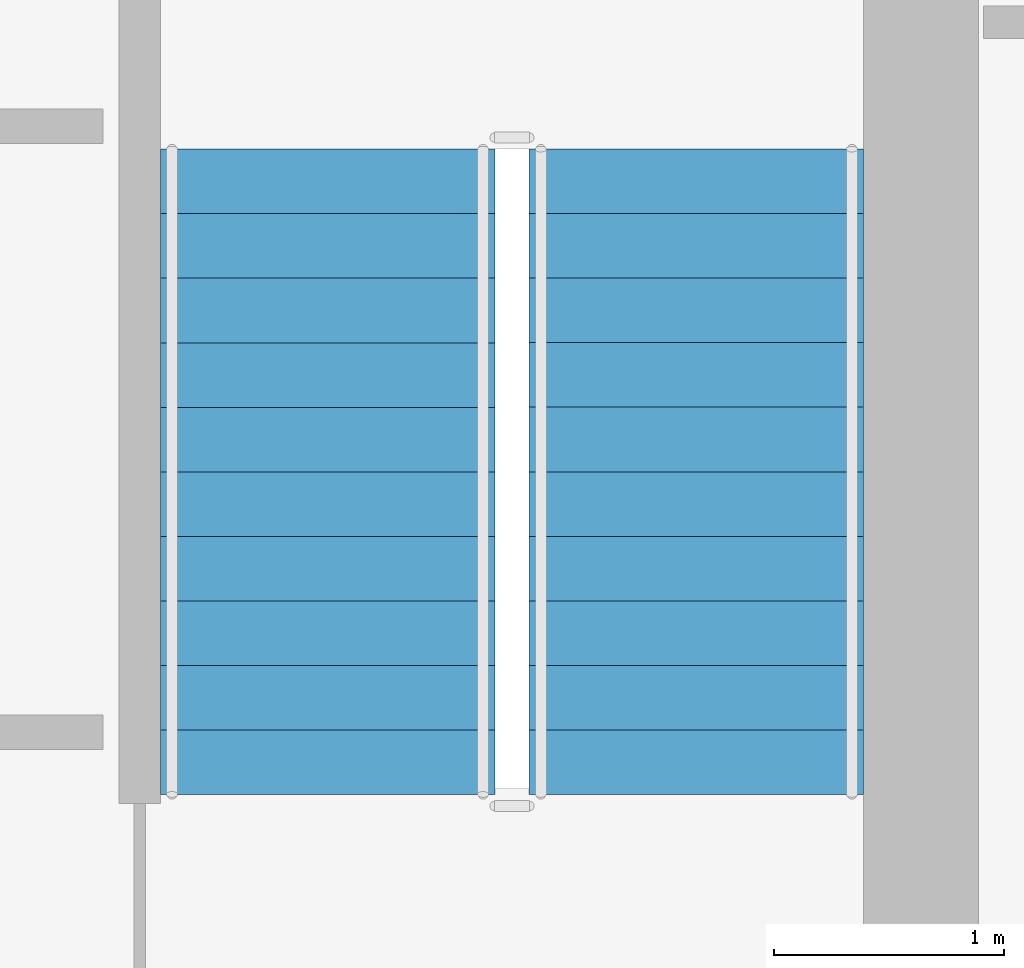
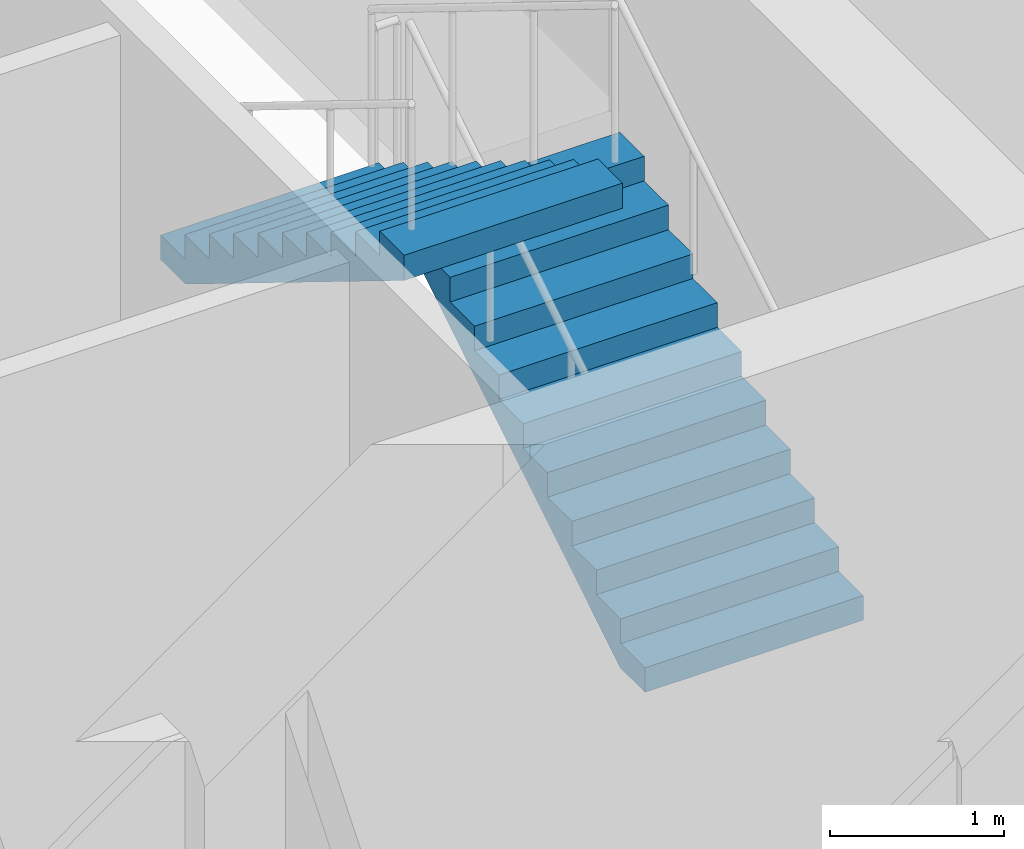
# One storey, part 33 of 36: 2 stair flights, 1 element without a shape of its own.
"""IFC4 building model written with IfcOpenShell, lengths in metres."""

from ifc_helpers import new_model, si_unit, direction, frame, origin, place, context, subcontext, project, spatial, polyline, outline, extrude, material, type_object, element, aggregate, save


model = new_model("IFC4")

# Units and contexts
model_context = context("Model", 3, precision=1e-05, world=origin(), true_north=direction((0.0, 1.0)))
body_context = subcontext(model_context, "Body", "Model", "MODEL_VIEW")
ifc_project = project(units=[si_unit("LENGTHUNIT", "METRE"), si_unit("AREAUNIT", "SQUARE_METRE"), si_unit("VOLUMEUNIT", "CUBIC_METRE"), si_unit("PLANEANGLEUNIT", "RADIAN"), si_unit("MASSUNIT", "GRAM", prefix="KILO")], contexts=[model_context])

# Site, building, storey
site_placement = place(None, origin())
site = spatial("IfcSite", under=ifc_project, at=site_placement, CompositionType="ELEMENT")
building_placement = place(site_placement, origin())
building = spatial("IfcBuilding", under=site, at=building_placement, Name="Saevonmaru Cultural Tower", CompositionType="ELEMENT")
storey_placement = place(building_placement, frame((0.0, 0.0, 209.39990234375)))
storey = spatial("IfcBuildingStorey", under=building, at=storey_placement, Name="L48", CompositionType="ELEMENT", Elevation=209.39990234375)

# Stair, stair flights
ifc_material_1 = material(Name="Concrete C40/50", Category="concrete")
stair_type = type_object("IfcStairType", Name="STR-DOGLEG-RC", PredefinedType="HALF_TURN_STAIR", material=ifc_material_1)
stair_placement = place(storey_placement, origin())
stair = element("IfcStair", 1, at=stair_placement, inside=storey, type_object=stair_type, Name="L48 Protected exit stair ST-2", PredefinedType="HALF_TURN_STAIR")
ifc_material_2 = material(Name="Precast concrete C40/50", Category="concrete")
stair_flight_type = type_object("IfcStairFlightType", Name="STF-PRECAST-180", PredefinedType="STRAIGHT", material=ifc_material_2)
stair_flight_1_placement = place(storey_placement, frame((45.074951171875, 44.85009765625, 0.0), z_axis=(0.0, 0.0, 1.0), x_axis=(0.0, 1.0, 0.0)))
stair_flight_1 = element("IfcStairFlight", 2, at=stair_flight_1_placement, type_object=stair_flight_type, Name="ST-2-L48 flight 1", NumberOfRisers=11, NumberOfTreads=10, PredefinedType="STRAIGHT", RiserHeight=0.172727273, TreadLength=0.28, context=body_context, shape_type="SweptSolid", body=[
    extrude(outline(polyline([(0.0, 0.0), (0.0, 0.172607421875), (0.280029296875, 0.172607421875), (0.280029296875, 0.345458984375), (0.56005859375, 0.345458984375), (0.56005859375, 0.51806640625), (0.840087890625, 0.51806640625), (0.840087890625, 0.69091796875), (1.1201171875, 0.69091796875), (1.1201171875, 0.863525390625), (1.39990234375, 0.863525390625), (1.39990234375, 1.036376953125), (1.679931640625, 1.036376953125), (1.679931640625, 1.208984375), (1.9599609375, 1.208984375), (1.9599609375, 1.3818359375), (2.239990234375, 1.3818359375), (2.239990234375, 1.554443359375), (2.52001953125, 1.554443359375), (2.52001953125, 1.727294921875), (2.800048828125, 1.727294921875), (2.800048828125, 1.89990234375), (2.800048828125, 1.551025390625), (0.285400390625, 0.0), (0.0, 0.0)])), frame((0.0, 0.72509765625, 0.0), z_axis=(0.0, -1.0, 0.0), x_axis=(1.0, 0.0, 0.0)), (0.0, 0.0, 1.0), 1.449951171875),
])
stair_flight_2_placement = place(storey_placement, frame((43.47509765625, 47.64990234375, 1.900146484375), z_axis=(0.0, 0.0, 1.0), x_axis=(0.0, -1.0, 0.0)))
stair_flight_2 = element("IfcStairFlight", 3, at=stair_flight_2_placement, type_object=stair_flight_type, Name="ST-2-L48 flight 2", NumberOfRisers=11, NumberOfTreads=10, PredefinedType="STRAIGHT", RiserHeight=0.172727273, TreadLength=0.28, context=body_context, shape_type="SweptSolid", body=[
    extrude(outline(polyline([(0.0, 0.0), (0.0, 0.172607421875), (0.280029296875, 0.172607421875), (0.280029296875, 0.345458984375), (0.56005859375, 0.345458984375), (0.56005859375, 0.51806640625), (0.840087890625, 0.51806640625), (0.840087890625, 0.69091796875), (1.1201171875, 0.69091796875), (1.1201171875, 0.863525390625), (1.39990234375, 0.863525390625), (1.39990234375, 1.036376953125), (1.679931640625, 1.036376953125), (1.679931640625, 1.208984375), (1.9599609375, 1.208984375), (1.9599609375, 1.3818359375), (2.239990234375, 1.3818359375), (2.239990234375, 1.554443359375), (2.52001953125, 1.554443359375), (2.52001953125, 1.727294921875), (2.800048828125, 1.727294921875), (2.800048828125, 1.89990234375), (2.800048828125, 1.551025390625), (0.285400390625, 0.0), (0.0, 0.0)])), frame((0.0, 0.72509765625, 0.0), z_axis=(0.0, -1.0, 0.0), x_axis=(1.0, 0.0, 0.0)), (0.0, 0.0, 1.0), 1.449951171875),
])
aggregate(stair, [stair_flight_1, stair_flight_2])

save(model, "model.ifc")
